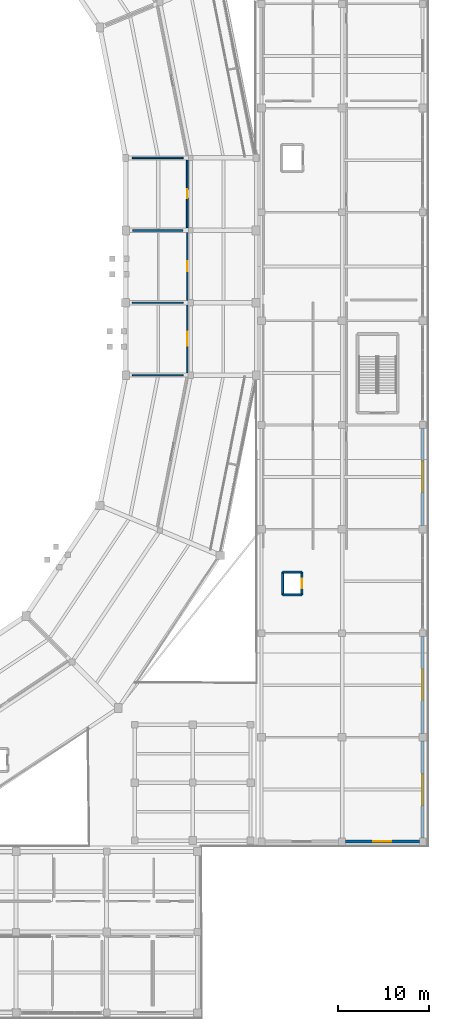
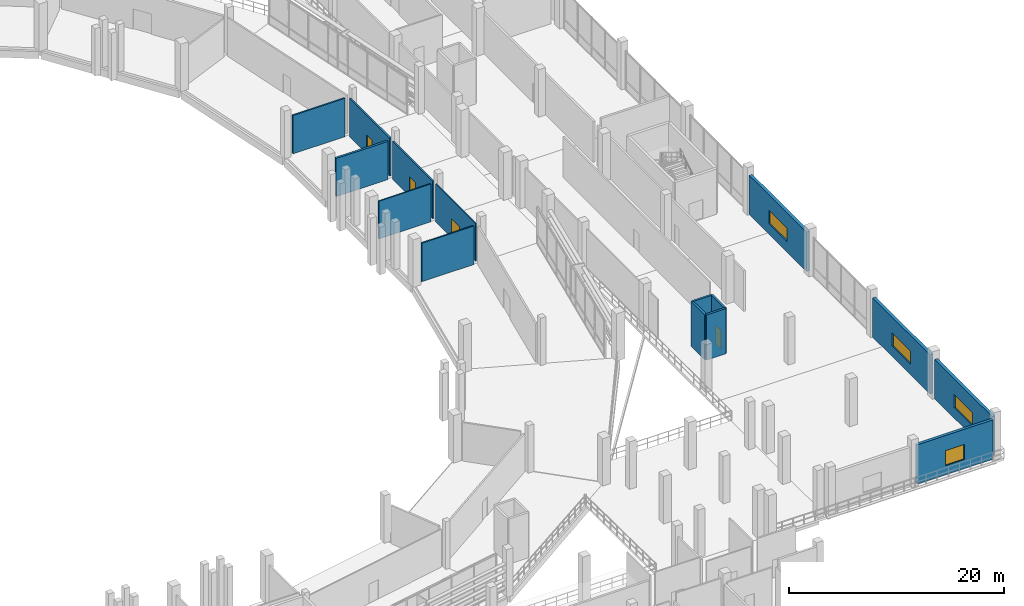
# One storey, part 78 of 114: 15 walls, 4 doors, 4 windows, 8 openings.
"""IFC4 building model written with IfcOpenShell, lengths in metres."""

from ifc_helpers import new_model, si_unit, direction, frame, frame_2d, origin, place, context, subcontext, project, spatial, rectangle, extrude, material, layer, layer_set, type_object, element, fill, save


model = new_model("IFC4")

# Units and contexts
model_context = context("Model", 3, precision=1e-05, world=origin(), true_north=direction((0.0, 1.0)))
body_context = subcontext(model_context, "Body", "Model", "MODEL_VIEW")
ifc_project = project(units=[si_unit("LENGTHUNIT", "METRE"), si_unit("AREAUNIT", "SQUARE_METRE"), si_unit("VOLUMEUNIT", "CUBIC_METRE"), si_unit("PLANEANGLEUNIT", "RADIAN"), si_unit("MASSUNIT", "GRAM", prefix="KILO")], contexts=[model_context])

# Site, building, storey
site_placement = place(None, origin())
site = spatial("IfcSite", under=ifc_project, at=site_placement, CompositionType="ELEMENT")
building_placement = place(site_placement, origin())
building = spatial("IfcBuilding", under=site, at=building_placement, Name="Candeia Ridge Stadium", CompositionType="ELEMENT")
storey_placement = place(building_placement, frame((0.0, 0.0, 5.39990234375)))
storey = spatial("IfcBuildingStorey", under=building, at=storey_placement, Name="L01", CompositionType="ELEMENT", Elevation=5.39990234375)

# Wall, opening, door
ifc_material_1 = material(Name="Gypsum Acoustic Twin-Stud Assembly", Category="gypsum")
ifc_layer_1 = layer(ifc_material_1, 0.159912109375, Name="Gypsum Acoustic Twin-Stud Assembly", Category="gypsum")
ifc_layer_set_1 = layer_set([ifc_layer_1], Name="Gypsum Acoustic Twin-Stud Assembly")
wall_type_1 = type_object("IfcWallType", Name="Club Dining Acoustic Partition 160", PredefinedType="PARTITIONING", material=ifc_layer_set_1)
wall_1_placement = place(storey_placement, frame((185.39990234375, 86.75, 0.0), z_axis=(0.0, 0.0, 1.0), x_axis=(0.0, -1.0, 0.0)))
wall_1 = element("IfcWall", 1, at=wall_1_placement, inside=storey, type_object=wall_type_1, Name="Interior partition PT-L01-0324", PredefinedType="PARTITIONING", context=body_context, shape_type="SweptSolid", body=[
    extrude(rectangle(XDim=7.4599609375, YDim=0.159912109375, at=frame_2d((3.72998046875, 0.0))), origin(), (0.0, 0.0, 1.0), 4.30517578125),
])
opening_1_placement = place(wall_1_placement, frame((3.169921875, 0.0, 0.0)))
opening_1 = element("IfcOpeningElement", 2, at=opening_1_placement, cuts=wall_1, Name="Opening ID18", PredefinedType="OPENING", context=body_context, shape_type="SweptSolid", body=[
    extrude(rectangle(XDim=1.1201171875, YDim=2.199951171875, at=frame_2d((0.56005859375, 1.10009765625))), frame((0.0, 0.08984375, 0.0), z_axis=(0.0, -1.0, 0.0), x_axis=(1.0, 0.0, 0.0)), (0.0, 0.0, 1.0), 0.179931640625),
])
ifc_material_2 = material(Name="Galvanized Fire-Rated Steel", Category="steel")
door_type_1 = type_object("IfcDoorType", Name="Control Room Security Door 1120x2200", OperationType="NOTDEFINED", PredefinedType="DOOR", material=ifc_material_2)
door_1_placement = place(opening_1_placement, frame((1.1201171875, 0.0, 0.0), z_axis=(0.0, 0.0, 1.0), x_axis=(-1.0, 0.0, 0.0)))
door_1 = element("IfcDoor", 3, at=door_1_placement, inside=storey, type_object=door_type_1, Name="Interior room door D-L01-0167", OperationType="SINGLE_SWING_LEFT", OverallHeight=2.199951171875, OverallWidth=1.1201171875, PredefinedType="DOOR", context=body_context, shape_type="SweptSolid", body=[
    extrude(rectangle(XDim=1.1201171875, YDim=2.199951171875, at=frame_2d((0.56005859375, 1.10009765625))), frame((0.0, 0.02490234375, 0.0), z_axis=(0.0, -1.0, 0.0), x_axis=(1.0, 0.0, 0.0)), (0.0, 0.0, 1.0), 0.050048828125),
])
fill(opening_1, door_1)

# Walls
wall_2_placement = place(storey_placement, frame((179.35009765625, 95.0, 0.0), z_axis=(0.0, 0.0, 1.0), x_axis=(1.0, 0.0, 0.0)))
element("IfcWall", 4, at=wall_2_placement, inside=storey, type_object=wall_type_1, Name="Demising partition PT-L01-0327", PredefinedType="PARTITIONING", context=body_context, shape_type="SweptSolid", body=[
    extrude(rectangle(XDim=5.599853515625, YDim=0.159912109375, at=frame_2d((2.7998046875, 0.0))), origin(), (0.0, 0.0, 1.0), 4.375),
])
ifc_material_3 = material(Name="Concrete Masonry Blockwork C25/30", Category="masonry")
ifc_layer_2 = layer(ifc_material_3, 0.14990234375, Name="Concrete Masonry Blockwork C25/30", Category="masonry")
ifc_layer_set_2 = layer_set([ifc_layer_2], Name="Concrete Masonry Blockwork C25/30")
wall_type_2 = type_object("IfcWallType", Name="Concourse Kiosk Partition 150", PredefinedType="PARTITIONING", material=ifc_layer_set_2)
wall_3_placement = place(storey_placement, frame((179.35009765625, 71.0, 0.0), z_axis=(0.0, 0.0, 1.0), x_axis=(1.0, 0.0, 0.0)))
element("IfcWall", 5, at=wall_3_placement, inside=storey, type_object=wall_type_2, Name="Demising partition PT-L01-0321", PredefinedType="PARTITIONING", context=body_context, shape_type="SweptSolid", body=[
    extrude(rectangle(XDim=5.599853515625, YDim=0.14990234375, at=frame_2d((2.7998046875, 0.0))), origin(), (0.0, 0.0, 1.0), 4.385009765625),
])
ifc_material_4 = material(Name="Moisture-Resistant Masonry & Tile", Category="masonry")
ifc_layer_3 = layer(ifc_material_4, 0.22998046875, Name="Moisture-Resistant Masonry & Tile", Category="masonry")
ifc_layer_set_3 = layer_set([ifc_layer_3], Name="Moisture-Resistant Masonry & Tile")
wall_type_3 = type_object("IfcWallType", Name="Dressing Suite Wet-Wall Chase 230", PredefinedType="PLUMBINGWALL", material=ifc_layer_set_3)
wall_4_placement = place(storey_placement, frame((179.35009765625, 87.0, 0.0), z_axis=(0.0, 0.0, 1.0), x_axis=(1.0, 0.0, 0.0)))
element("IfcWall", 6, at=wall_4_placement, inside=storey, type_object=wall_type_3, Name="Demising partition PT-L01-0325", PredefinedType="PLUMBINGWALL", context=body_context, shape_type="SweptSolid", body=[
    extrude(rectangle(XDim=5.599853515625, YDim=0.22998046875, at=frame_2d((2.7998046875, 0.0))), origin(), (0.0, 0.0, 1.0), 4.34521484375),
])

# Wall, opening, window
ifc_material_5 = material(Name="Concrete C35/45", Category="concrete")
ifc_layer_4 = layer(ifc_material_5, 0.320068359375, Name="Concrete C35/45", Category="concrete")
ifc_layer_set_4 = layer_set([ifc_layer_4], Name="Concrete C35/45")
wall_type_4 = type_object("IfcWallType", Name="Exterior Cedar-Clad Insulated Wall 320", PredefinedType="SOLIDWALL", material=ifc_layer_set_4)
wall_5_placement = place(storey_placement, frame((211.39990234375, 19.863037109375, 0.0), z_axis=(0.0, 0.0, 1.0), x_axis=(0.0, 1.0, 0.0)))
wall_5 = element("IfcWall", 7, at=wall_5_placement, inside=storey, type_object=wall_type_4, Name="Exterior facade wall EW-L01-0134", PredefinedType="SOLIDWALL", context=body_context, shape_type="SweptSolid", body=[
    extrude(rectangle(XDim=10.723876953125, YDim=0.320068359375, at=frame_2d((5.36181640625, 0.0))), origin(), (0.0, 0.0, 1.0), 4.47509765625),
])
opening_2_placement = place(wall_5_placement, frame((3.662109375, 0.0, 1.199951171875)))
opening_2 = element("IfcOpeningElement", 8, at=opening_2_placement, cuts=wall_5, Name="Opening W09", PredefinedType="OPENING", context=body_context, shape_type="SweptSolid", body=[
    extrude(rectangle(XDim=3.39990234375, YDim=1.5, at=frame_2d((1.699951171875, 0.75))), frame((0.0, 0.169921875, 0.0), z_axis=(0.0, -1.0, 0.0), x_axis=(1.0, 0.0, 0.0)), (0.0, 0.0, 1.0), 0.340087890625),
])
ifc_material_6 = material(Name="Tempered Solar-Control Double Glazing", Category="glass")
window_type_1 = type_object("IfcWindowType", Name="Warm-Up Hall High Window 3400x1500", PartitioningType="SINGLE_PANEL", PredefinedType="WINDOW", material=ifc_material_6)
window_1_placement = place(opening_2_placement, origin())
window_1 = element("IfcWindow", 9, at=window_1_placement, inside=storey, type_object=window_type_1, Name="Exterior window WIN-L01-071", OverallHeight=1.5, OverallWidth=3.39990234375, PartitioningType="SINGLE_PANEL", PredefinedType="WINDOW", context=body_context, shape_type="SweptSolid", body=[
    extrude(rectangle(XDim=3.39990234375, YDim=1.5, at=frame_2d((1.699951171875, 0.75))), frame((0.0, 0.030029296875, 0.0), z_axis=(0.0, -1.0, 0.0), x_axis=(1.0, 0.0, 0.0)), (0.0, 0.0, 1.0), 0.06005859375),
])
fill(opening_2, window_1)

wall_6_placement = place(storey_placement, frame((211.39990234375, 31.4130859375, 0.0), z_axis=(0.0, 0.0, 1.0), x_axis=(0.0, 1.0, 0.0)))
wall_6 = element("IfcWall", 10, at=wall_6_placement, inside=storey, type_object=wall_type_4, Name="Exterior facade wall EW-L01-0135", PredefinedType="SOLIDWALL", context=body_context, shape_type="SweptSolid", body=[
    extrude(rectangle(XDim=10.723876953125, YDim=0.320068359375, at=frame_2d((5.36181640625, 0.0))), origin(), (0.0, 0.0, 1.0), 4.47509765625),
])
opening_3_placement = place(wall_6_placement, frame((3.662109375, 0.0, 1.199951171875)))
opening_3 = element("IfcOpeningElement", 11, at=opening_3_placement, cuts=wall_6, Name="Opening W09", PredefinedType="OPENING", context=body_context, shape_type="SweptSolid", body=[
    extrude(rectangle(XDim=3.39990234375, YDim=1.5, at=frame_2d((1.699951171875, 0.75))), frame((0.0, 0.169921875, 0.0), z_axis=(0.0, -1.0, 0.0), x_axis=(1.0, 0.0, 0.0)), (0.0, 0.0, 1.0), 0.340087890625),
])
window_2_placement = place(opening_3_placement, origin())
window_2 = element("IfcWindow", 12, at=window_2_placement, inside=storey, type_object=window_type_1, Name="Exterior window WIN-L01-072", OverallHeight=1.5, OverallWidth=3.39990234375, PartitioningType="SINGLE_PANEL", PredefinedType="WINDOW", context=body_context, shape_type="SweptSolid", body=[
    extrude(rectangle(XDim=3.39990234375, YDim=1.5, at=frame_2d((1.699951171875, 0.75))), frame((0.0, 0.030029296875, 0.0), z_axis=(0.0, -1.0, 0.0), x_axis=(1.0, 0.0, 0.0)), (0.0, 0.0, 1.0), 0.06005859375),
])
fill(opening_3, window_2)

wall_7_placement = place(storey_placement, frame((211.39990234375, 54.4130859375, 0.0), z_axis=(0.0, 0.0, 1.0), x_axis=(0.0, 1.0, 0.0)))
wall_7 = element("IfcWall", 13, at=wall_7_placement, inside=storey, type_object=wall_type_4, Name="Exterior facade wall EW-L01-0136", PredefinedType="SOLIDWALL", context=body_context, shape_type="SweptSolid", body=[
    extrude(rectangle(XDim=10.723876953125, YDim=0.320068359375, at=frame_2d((5.36181640625, 0.0))), origin(), (0.0, 0.0, 1.0), 4.47509765625),
])
opening_4_placement = place(wall_7_placement, frame((3.662109375, 0.0, 1.199951171875)))
opening_4 = element("IfcOpeningElement", 14, at=opening_4_placement, cuts=wall_7, Name="Opening W09", PredefinedType="OPENING", context=body_context, shape_type="SweptSolid", body=[
    extrude(rectangle(XDim=3.39990234375, YDim=1.5, at=frame_2d((1.699951171875, 0.75))), frame((0.0, 0.169921875, 0.0), z_axis=(0.0, -1.0, 0.0), x_axis=(1.0, 0.0, 0.0)), (0.0, 0.0, 1.0), 0.340087890625),
])
window_3_placement = place(opening_4_placement, origin())
window_3 = element("IfcWindow", 15, at=window_3_placement, inside=storey, type_object=window_type_1, Name="Exterior window WIN-L01-073", OverallHeight=1.5, OverallWidth=3.39990234375, PartitioningType="SINGLE_PANEL", PredefinedType="WINDOW", context=body_context, shape_type="SweptSolid", body=[
    extrude(rectangle(XDim=3.39990234375, YDim=1.5, at=frame_2d((1.699951171875, 0.75))), frame((0.0, 0.030029296875, 0.0), z_axis=(0.0, -1.0, 0.0), x_axis=(1.0, 0.0, 0.0)), (0.0, 0.0, 1.0), 0.06005859375),
])
fill(opening_4, window_3)

ifc_layer_5 = layer(ifc_material_5, 0.300048828125, Name="Concrete C35/45", Category="concrete")
ifc_layer_set_5 = layer_set([ifc_layer_5], Name="Concrete C35/45")
wall_type_5 = type_object("IfcWallType", Name="Exterior Pavilion Rainscreen Wall 300", PredefinedType="SOLIDWALL", material=ifc_layer_set_5)
wall_8_placement = place(storey_placement, frame((202.863037109375, 19.5, 0.0), z_axis=(0.0, 0.0, 1.0), x_axis=(1.0, 0.0, 0.0)))
wall_8 = element("IfcWall", 16, at=wall_8_placement, inside=storey, type_object=wall_type_5, Name="Exterior facade wall EW-L01-0141", PredefinedType="SOLIDWALL", context=body_context, shape_type="SweptSolid", body=[
    extrude(rectangle(XDim=8.174072265625, YDim=0.300048828125, at=frame_2d((4.0869140625, 0.0))), origin(), (0.0, 0.0, 1.0), 4.47509765625),
])
opening_5_placement = place(wall_8_placement, frame((3.0869140625, 0.0, 1.050048828125)))
opening_5 = element("IfcOpeningElement", 17, at=opening_5_placement, cuts=wall_8, Name="Opening W12", PredefinedType="OPENING", context=body_context, shape_type="SweptSolid", body=[
    extrude(rectangle(XDim=2.0, YDim=1.699951171875, at=frame_2d((1.0, 0.85009765625))), frame((0.0, 0.159912109375, 0.0), z_axis=(0.0, -1.0, 0.0), x_axis=(1.0, 0.0, 0.0)), (0.0, 0.0, 1.0), 0.320068359375),
])
window_type_2 = type_object("IfcWindowType", Name="Community Room Window 2000x1700", PartitioningType="SINGLE_PANEL", PredefinedType="WINDOW", material=ifc_material_6)
window_4_placement = place(opening_5_placement, origin())
window_4 = element("IfcWindow", 18, at=window_4_placement, inside=storey, type_object=window_type_2, Name="Exterior window WIN-L01-078", OverallHeight=1.699951171875, OverallWidth=2.0, PartitioningType="SINGLE_PANEL", PredefinedType="WINDOW", context=body_context, shape_type="SweptSolid", body=[
    extrude(rectangle(XDim=2.0, YDim=1.699951171875, at=frame_2d((1.0, 0.85009765625))), frame((0.0, 0.030029296875, 0.0), z_axis=(0.0, -1.0, 0.0), x_axis=(1.0, 0.0, 0.0)), (0.0, 0.0, 1.0), 0.06005859375),
])
fill(opening_5, window_4)

# Wall
ifc_material_7 = material(Name="Concrete C40/50", Category="concrete")
ifc_layer_6 = layer(ifc_material_7, 0.219970703125, Name="Concrete C40/50", Category="concrete")
ifc_layer_set_6 = layer_set([ifc_layer_6], Name="Concrete C40/50")
wall_type_6 = type_object("IfcWallType", Name="Lift & Riser Shaft Wall 220", PredefinedType="SHEAR", material=ifc_layer_set_6)
wall_9_placement = place(storey_placement, frame((195.93994140625, 46.739990234375, 0.0), z_axis=(0.0, 0.0, 1.0), x_axis=(1.0, 0.0, 0.0)))
element("IfcWall", 19, at=wall_9_placement, inside=storey, type_object=wall_type_6, Name="Lift PL8 shaft wall L01 south", PredefinedType="SHEAR", context=body_context, shape_type="SweptSolid", body=[
    extrude(rectangle(XDim=2.1201171875, YDim=0.219970703125, at=frame_2d((1.06005859375, 0.0))), origin(), (0.0, 0.0, 1.0), 5.14013671875),
])

# Wall, opening, door
wall_10_placement = place(storey_placement, frame((198.06005859375, 46.739990234375, 0.0), z_axis=(0.0, 0.0, 1.0), x_axis=(0.0, 1.0, 0.0)))
wall_10 = element("IfcWall", 20, at=wall_10_placement, inside=storey, type_object=wall_type_6, Name="Lift PL8 shaft wall L01 east", PredefinedType="SHEAR", context=body_context, shape_type="SweptSolid", body=[
    extrude(rectangle(XDim=2.52001953125, YDim=0.219970703125, at=frame_2d((1.260009765625, 0.0))), origin(), (0.0, 0.0, 1.0), 5.14013671875),
])
opening_6_placement = place(wall_10_placement, frame((0.735107421875, 0.0, 0.0)))
opening_6 = element("IfcOpeningElement", 21, at=opening_6_placement, cuts=wall_10, Name="Opening LD02", PredefinedType="OPENING", context=body_context, shape_type="SweptSolid", body=[
    extrude(rectangle(XDim=1.050048828125, YDim=2.14990234375, at=frame_2d((0.52490234375, 1.074951171875))), frame((0.0, 0.119873046875, 0.0), z_axis=(0.0, -1.0, 0.0), x_axis=(1.0, 0.0, 0.0)), (0.0, 0.0, 1.0), 0.239990234375),
])
ifc_material_8 = material(Name="Brushed Stainless Steel", Category="steel")
door_type_2 = type_object("IfcDoorType", Name="Passenger Lift Landing Door 1050x2150", OperationType="NOTDEFINED", PredefinedType="DOOR", material=ifc_material_8)
door_2_placement = place(opening_6_placement, origin())
door_2 = element("IfcDoor", 22, at=door_2_placement, inside=storey, type_object=door_type_2, Name="Lift landing sliding door LD-PL8-L01", OperationType="DOUBLE_DOOR_SLIDING", OverallHeight=2.14990234375, OverallWidth=1.050048828125, PredefinedType="DOOR", context=body_context, shape_type="SweptSolid", body=[
    extrude(rectangle(XDim=1.050048828125, YDim=2.14990234375, at=frame_2d((0.52490234375, 1.074951171875))), frame((0.0, 0.02490234375, 0.0), z_axis=(0.0, -1.0, 0.0), x_axis=(1.0, 0.0, 0.0)), (0.0, 0.0, 1.0), 0.050048828125),
])
fill(opening_6, door_2)

# Walls
wall_11_placement = place(storey_placement, frame((198.06005859375, 49.260009765625, 0.0), z_axis=(0.0, 0.0, 1.0), x_axis=(-1.0, 0.0, 0.0)))
element("IfcWall", 23, at=wall_11_placement, inside=storey, type_object=wall_type_6, Name="Lift PL8 shaft wall L01 north", PredefinedType="SHEAR", context=body_context, shape_type="SweptSolid", body=[
    extrude(rectangle(XDim=2.1201171875, YDim=0.219970703125, at=frame_2d((1.06005859375, 0.0))), origin(), (0.0, 0.0, 1.0), 5.14013671875),
])
wall_12_placement = place(storey_placement, frame((195.93994140625, 49.260009765625, 0.0), z_axis=(0.0, 0.0, 1.0), x_axis=(0.0, -1.0, 0.0)))
element("IfcWall", 24, at=wall_12_placement, inside=storey, type_object=wall_type_6, Name="Lift PL8 shaft wall L01 west", PredefinedType="SHEAR", context=body_context, shape_type="SweptSolid", body=[
    extrude(rectangle(XDim=2.52001953125, YDim=0.219970703125, at=frame_2d((1.260009765625, 0.0))), origin(), (0.0, 0.0, 1.0), 5.14013671875),
])

# Wall, opening, door
ifc_material_9 = material(Name="Gypsum Acoustic Triple-Board Wall", Category="gypsum")
ifc_layer_7 = layer(ifc_material_9, 0.18505859375, Name="Gypsum Acoustic Triple-Board Wall", Category="gypsum")
ifc_layer_set_7 = layer_set([ifc_layer_7], Name="Gypsum Acoustic Triple-Board Wall")
wall_type_7 = type_object("IfcWallType", Name="Media Booth Studio Divider 185", PredefinedType="PARTITIONING", material=ifc_layer_set_7)
wall_13_placement = place(storey_placement, frame((185.39990234375, 94.75, 0.0), z_axis=(0.0, 0.0, 1.0), x_axis=(0.0, -1.0, 0.0)))
wall_13 = element("IfcWall", 25, at=wall_13_placement, inside=storey, type_object=wall_type_7, Name="Interior partition PT-L01-0326", PredefinedType="PARTITIONING", context=body_context, shape_type="SweptSolid", body=[
    extrude(rectangle(XDim=7.4599609375, YDim=0.18505859375, at=frame_2d((3.72998046875, 0.0))), origin(), (0.0, 0.0, 1.0), 4.34521484375),
])
opening_7_placement = place(wall_13_placement, frame((3.22998046875, 0.0, 0.0)))
opening_7 = element("IfcOpeningElement", 26, at=opening_7_placement, cuts=wall_13, Name="Opening ID04", PredefinedType="OPENING", context=body_context, shape_type="SweptSolid", body=[
    extrude(rectangle(XDim=1.0, YDim=2.14990234375, at=frame_2d((0.5, 1.074951171875))), frame((0.0, 0.1025390625, 0.0), z_axis=(0.0, -1.0, 0.0), x_axis=(1.0, 0.0, 0.0)), (0.0, 0.0, 1.0), 0.205078125),
])
ifc_material_10 = material(Name="Powder-Coated Hollow Metal", Category="steel")
door_type_3 = type_object("IfcDoorType", Name="Concourse Kiosk Service Door 1000x2150", OperationType="NOTDEFINED", PredefinedType="DOOR", material=ifc_material_10)
door_3_placement = place(opening_7_placement, frame((1.0, 0.0, 0.0), z_axis=(0.0, 0.0, 1.0), x_axis=(-1.0, 0.0, 0.0)))
door_3 = element("IfcDoor", 27, at=door_3_placement, inside=storey, type_object=door_type_3, Name="Interior room door D-L01-0168", OperationType="SINGLE_SWING_RIGHT", OverallHeight=2.14990234375, OverallWidth=1.0, PredefinedType="DOOR", context=body_context, shape_type="SweptSolid", body=[
    extrude(rectangle(XDim=1.0, YDim=2.14990234375, at=frame_2d((0.5, 1.074951171875))), frame((0.0, 0.02490234375, 0.0), z_axis=(0.0, -1.0, 0.0), x_axis=(1.0, 0.0, 0.0)), (0.0, 0.0, 1.0), 0.050048828125),
])
fill(opening_7, door_3)

ifc_material_11 = material(Name="Gypsum Metal-Stud Partition", Category="gypsum")
ifc_layer_8 = layer(ifc_material_11, 0.1201171875, Name="Gypsum Metal-Stud Partition", Category="gypsum")
ifc_layer_set_8 = layer_set([ifc_layer_8], Name="Gypsum Metal-Stud Partition")
wall_type_8 = type_object("IfcWallType", Name="Suite Internal Divider 120", PredefinedType="PARTITIONING", material=ifc_layer_set_8)
wall_14_placement = place(storey_placement, frame((185.39990234375, 78.75, 0.0), z_axis=(0.0, 0.0, 1.0), x_axis=(0.0, -1.0, 0.0)))
wall_14 = element("IfcWall", 28, at=wall_14_placement, inside=storey, type_object=wall_type_8, Name="Interior partition PT-L01-0322", PredefinedType="PARTITIONING", context=body_context, shape_type="SweptSolid", body=[
    extrude(rectangle(XDim=7.4599609375, YDim=0.1201171875, at=frame_2d((3.72998046875, 0.0))), origin(), (0.0, 0.0, 1.0), 4.30517578125),
])
opening_8_placement = place(wall_14_placement, frame((2.955078125, 0.0, 0.0)))
opening_8 = element("IfcOpeningElement", 29, at=opening_8_placement, cuts=wall_14, Name="Opening ID14", PredefinedType="OPENING", context=body_context, shape_type="SweptSolid", body=[
    extrude(rectangle(XDim=1.550048828125, YDim=2.14990234375, at=frame_2d((0.77490234375, 1.074951171875))), frame((0.0, 0.070068359375, 0.0), z_axis=(0.0, -1.0, 0.0), x_axis=(1.0, 0.0, 0.0)), (0.0, 0.0, 1.0), 0.14013671875),
])
door_type_4 = type_object("IfcDoorType", Name="Catering Kitchen Double Door 1550x2150", OperationType="NOTDEFINED", PredefinedType="DOOR", material=ifc_material_8)
door_4_placement = place(opening_8_placement, origin())
door_4 = element("IfcDoor", 30, at=door_4_placement, inside=storey, type_object=door_type_4, Name="Interior room door D-L01-0166", OperationType="DOUBLE_DOOR_SINGLE_SWING", OverallHeight=2.14990234375, OverallWidth=1.550048828125, PredefinedType="DOOR", context=body_context, shape_type="SweptSolid", body=[
    extrude(rectangle(XDim=1.550048828125, YDim=2.14990234375, at=frame_2d((0.77490234375, 1.074951171875))), frame((0.0, 0.02490234375, 0.0), z_axis=(0.0, -1.0, 0.0), x_axis=(1.0, 0.0, 0.0)), (0.0, 0.0, 1.0), 0.050048828125),
])
fill(opening_8, door_4)

# Wall
wall_15_placement = place(storey_placement, frame((179.35009765625, 79.0, 0.0), z_axis=(0.0, 0.0, 1.0), x_axis=(1.0, 0.0, 0.0)))
element("IfcWall", 31, at=wall_15_placement, inside=storey, type_object=wall_type_8, Name="Demising partition PT-L01-0323", PredefinedType="PARTITIONING", context=body_context, shape_type="SweptSolid", body=[
    extrude(rectangle(XDim=5.599853515625, YDim=0.1201171875, at=frame_2d((2.7998046875, 0.0))), origin(), (0.0, 0.0, 1.0), 4.30517578125),
])

save(model, "model.ifc")
